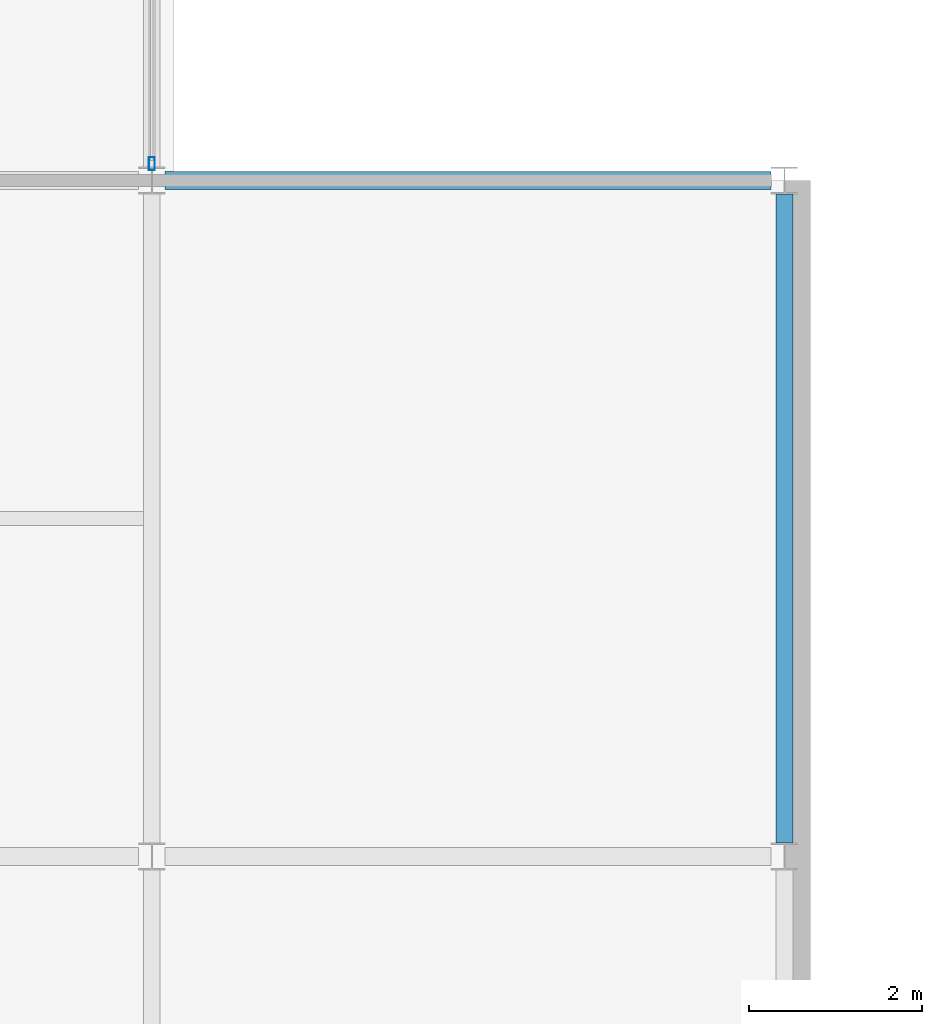
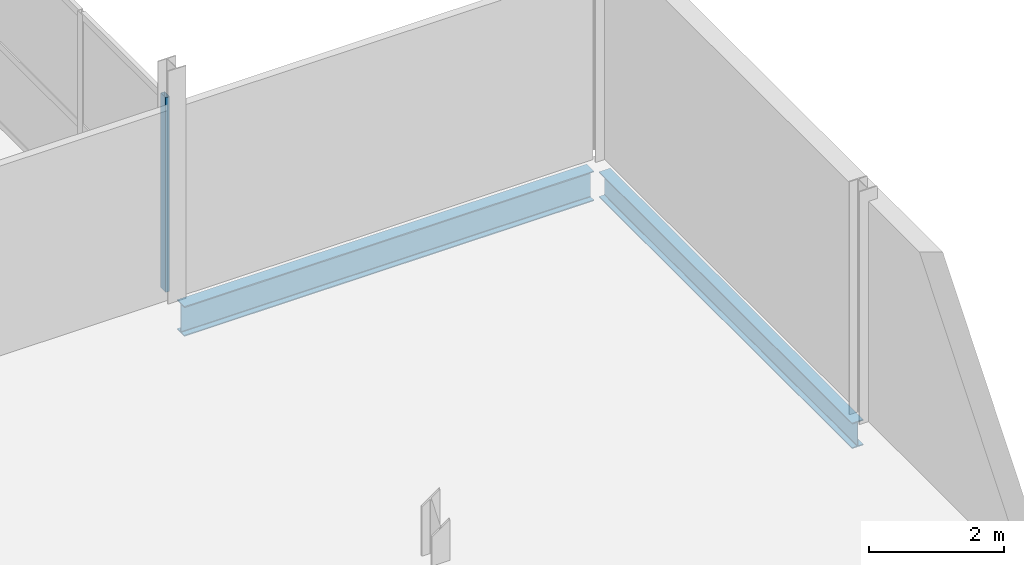
# One storey, part 5 of 65: 2 beams, 1 member, 1 element without a shape of its own.
"""IFC4 building model written with IfcOpenShell, lengths in metres."""

from ifc_helpers import new_model, si_unit, direction, frame, origin, origin_2d, place, context, subcontext, project, spatial, hollow_rectangle, i_section, extrude, material, layer, layer_set, material_profile, profile_set, type_object, element, aggregate, save


model = new_model("IFC4")

# Units and contexts
model_context = context("Model", 3, precision=1e-05, world=origin(), true_north=direction((0.0, 1.0)))
body_context = subcontext(model_context, "Body", "Model", "MODEL_VIEW")
ifc_project = project(units=[si_unit("LENGTHUNIT", "METRE"), si_unit("AREAUNIT", "SQUARE_METRE"), si_unit("VOLUMEUNIT", "CUBIC_METRE"), si_unit("PLANEANGLEUNIT", "RADIAN"), si_unit("MASSUNIT", "GRAM", prefix="KILO")], contexts=[model_context])

# Site, building, storey
site_placement = place(None, origin())
site = spatial("IfcSite", under=ifc_project, at=site_placement, CompositionType="ELEMENT")
building_placement = place(site_placement, origin())
building = spatial("IfcBuilding", under=site, at=building_placement, Name="Quillay Park Conservatory", CompositionType="ELEMENT")
storey_placement = place(building_placement, frame((0.0, 0.0, 14.10009765625)))
storey = spatial("IfcBuildingStorey", under=building, at=storey_placement, Name="L03", CompositionType="ELEMENT", Elevation=14.10009765625)

# Curtain wall, member
ifc_material_1 = material(Name="Thermally Broken Anodised Aluminium 6063-T6", Category="aluminium")
ifc_layer = layer(ifc_material_1, 0.1650390625)
ifc_layer_set = layer_set([ifc_layer], Name="UNITISED CURTAIN WALL PODIUM (Thermally Broken Anodised Aluminium 6063-T6)")
curtain_wall_type = type_object("IfcCurtainWallType", Name="UNITISED CURTAIN WALL PODIUM", PredefinedType="USERDEFINED", material=ifc_layer_set)
curtain_wall_placement = place(storey_placement, origin())
curtain_wall = element("IfcCurtainWall", 1, at=curtain_wall_placement, inside=storey, type_object=curtain_wall_type, Name="L03 Unitised Curtain Wall 210", ObjectType="UNITISED CURTAIN WALL", PredefinedType="USERDEFINED")
ifc_material_2 = material(Name="Thermally Broken Anodised Aluminium 6063-T6", Category="aluminium")
ifc_material_profile_1 = material_profile(ifc_material_2, hollow_rectangle(XDim=0.070068359375, YDim=0.14990234375, WallThickness=0.00341796875, at=origin_2d()), Name="AL70x150x3.5")
ifc_profile_set_1 = profile_set([ifc_material_profile_1], Name="Thermally Broken Anodised Aluminium 6063-T6")
member_type = type_object("IfcMemberType", Name="CURTAIN WALL MULLION 70 X150", PredefinedType="MULLION", material=ifc_profile_set_1)
member_placement = place(storey_placement, frame((22.14990234375, 15.794921875, 0.0), z_axis=(0.0, 0.0, 1.0), x_axis=(1.0, 0.0, 0.0)))
member = element("IfcMember", 2, at=member_placement, type_object=member_type, Name="CW-P1 mullion 4", PredefinedType="MULLION", context=body_context, shape_type="SweptSolid", body=[
    extrude(hollow_rectangle(XDim=0.070068359375, YDim=0.14990234375, WallThickness=0.00341796875, at=origin_2d()), origin(), (0.0, 0.0, 1.0), 3.513916015625),
])
aggregate(curtain_wall, [member])

# Beams
ifc_material_3 = material(Name="Steel ASTM A992 Grade 50", Category="steel")
ifc_material_profile_2 = material_profile(ifc_material_3, i_section(OverallWidth=0.19189453125, OverallDepth=0.462890625, WebThickness=0.010498046875, FlangeThickness=0.017578125, FilletRadius=0.012939453125, at=origin_2d()), Name="W460x89")
ifc_profile_set_2 = profile_set([ifc_material_profile_2], Name="Steel ASTM A992 Grade 50")
beam_type_1 = type_object("IfcBeamType", Name="PRIMARY FLOOR GIRDER W460 X89", PredefinedType="BEAM", material=ifc_profile_set_2)
beam_1_placement = place(storey_placement, frame((29.449951171875, 7.95703125, -0.41650390625), z_axis=(0.0, 1.0, 0.0), x_axis=(-1.0, 0.0, 0.0)))
element("IfcBeam", 3, at=beam_1_placement, inside=storey, type_object=beam_type_1, Name="L03 beam BM-V3Y-1452", PredefinedType="BEAM", context=body_context, shape_type="SweptSolid", body=[
    extrude(i_section(OverallWidth=0.19189453125, OverallDepth=0.462890625, WebThickness=0.010498046875, FlangeThickness=0.017578125, FilletRadius=0.012939453125, at=origin_2d()), origin(), (0.0, 0.0, 1.0), 7.486083984375),
])
ifc_material_4 = material(Name="Steel ASTM A992 Grade 50", Category="steel")
ifc_material_profile_3 = material_profile(ifc_material_4, i_section(OverallWidth=0.2109375, OverallDepth=0.5390625, WebThickness=0.01171875, FlangeThickness=0.018798828125, FilletRadius=0.013916015625, at=origin_2d()), Name="W530x109")
ifc_profile_set_3 = profile_set([ifc_material_profile_3], Name="Steel ASTM A992 Grade 50")
beam_type_2 = type_object("IfcBeamType", Name="PRIMARY FLOOR GIRDER W530 X109", PredefinedType="BEAM", material=ifc_profile_set_3)
beam_2_placement = place(storey_placement, frame((22.303466796875, 15.60009765625, -0.45458984375), z_axis=(1.0, 0.0, 0.0), x_axis=(0.0, 1.0, 0.0)))
element("IfcBeam", 4, at=beam_2_placement, inside=storey, type_object=beam_type_2, Name="L03 beam BM-V3X-1409", PredefinedType="BEAM", context=body_context, shape_type="SweptSolid", body=[
    extrude(i_section(OverallWidth=0.2109375, OverallDepth=0.5390625, WebThickness=0.01171875, FlangeThickness=0.018798828125, FilletRadius=0.013916015625, at=origin_2d()), origin(), (0.0, 0.0, 1.0), 6.992919921875),
])

save(model, "model.ifc")
